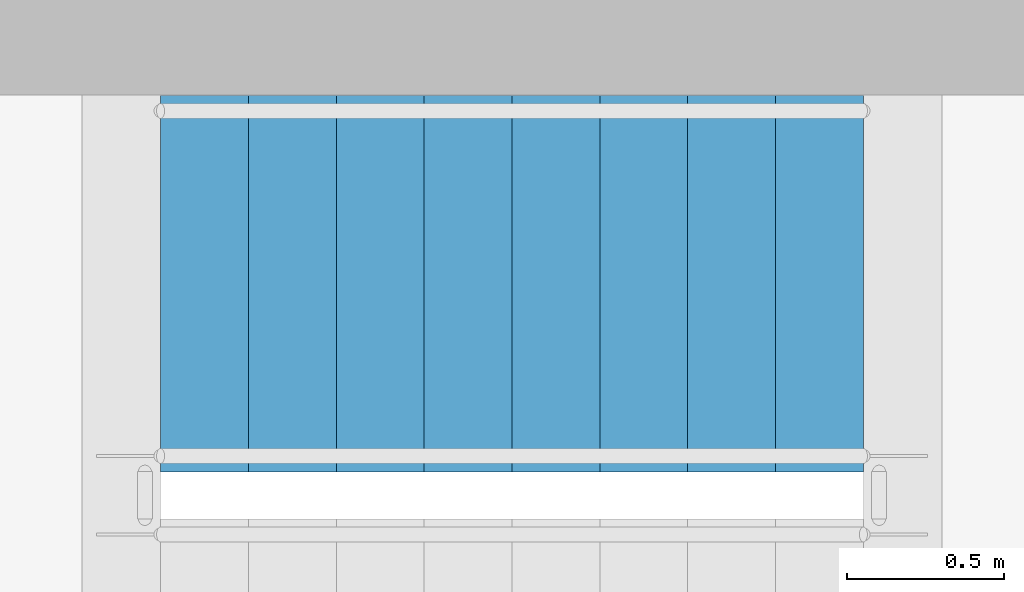
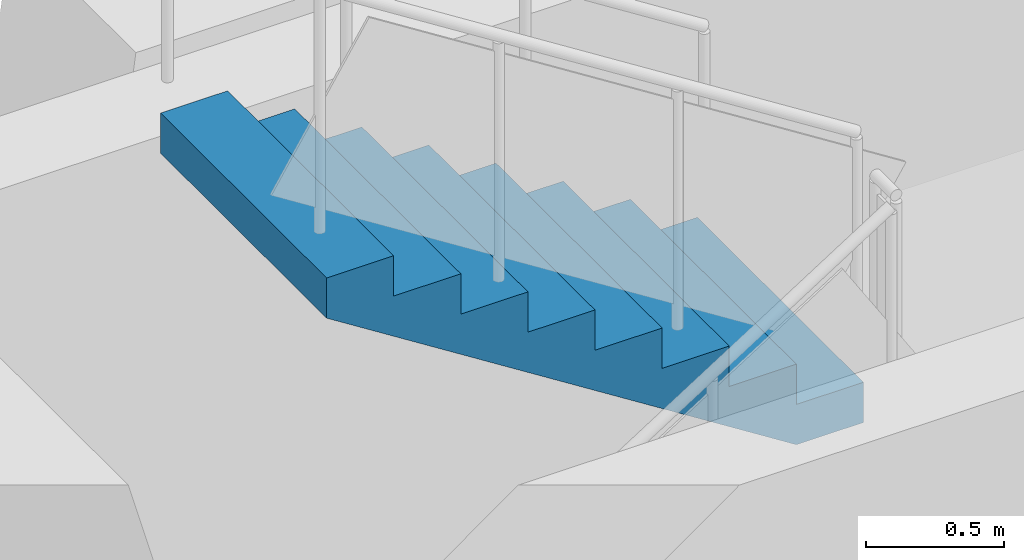
# One storey, part 12 of 16: 1 stair flight, 1 element without a shape of its own.
"""IFC4 building model written with IfcOpenShell, lengths in metres."""

from ifc_helpers import new_model, si_unit, direction, frame, origin, place, context, subcontext, project, spatial, polyline, outline, extrude, material, type_object, element, aggregate, save


model = new_model("IFC4")

# Units and contexts
model_context = context("Model", 3, precision=1e-05, world=origin(), true_north=direction((0.0, 1.0)))
body_context = subcontext(model_context, "Body", "Model", "MODEL_VIEW")
ifc_project = project(units=[si_unit("LENGTHUNIT", "METRE"), si_unit("AREAUNIT", "SQUARE_METRE"), si_unit("VOLUMEUNIT", "CUBIC_METRE"), si_unit("PLANEANGLEUNIT", "RADIAN"), si_unit("MASSUNIT", "GRAM", prefix="KILO")], contexts=[model_context])

# Site, building, storey
site_placement = place(None, origin())
site = spatial("IfcSite", under=ifc_project, at=site_placement, CompositionType="ELEMENT")
building_placement = place(site_placement, origin())
building = spatial("IfcBuilding", under=site, at=building_placement, Name="Vidyagriha Tower", CompositionType="ELEMENT")
storey_placement = place(building_placement, frame((0.0, 0.0, 230.0)))
storey = spatial("IfcBuildingStorey", under=building, at=storey_placement, Name="L60", CompositionType="ELEMENT", Elevation=230.0)

# Stair, stair flight
ifc_material_1 = material(Name="Concrete C40/50", Category="concrete")
stair_type = type_object("IfcStairType", Name="Exit stair, half-turn, precast flights", PredefinedType="HALF_TURN_STAIR", material=ifc_material_1)
stair_placement = place(storey_placement, origin())
stair = element("IfcStair", 1, at=stair_placement, inside=storey, type_object=stair_type, Name="L60 Exit Stair ST3", PredefinedType="HALF_TURN_STAIR")
ifc_material_2 = material(Name="Precast concrete C40/50", Category="concrete")
stair_flight_type = type_object("IfcStairFlightType", Name="Exit stair flight 1200 mm, precast", PredefinedType="STRAIGHT", material=ifc_material_2)
stair_flight_placement = place(storey_placement, frame((6.239990234375, 18.89990234375, 1.60009765625), z_axis=(0.0, 0.0, 1.0), x_axis=(-1.0, 0.0, 0.0)))
stair_flight = element("IfcStairFlight", 2, at=stair_flight_placement, type_object=stair_flight_type, Name="ST3 flight 2", NumberOfRisers=9, NumberOfTreads=8, PredefinedType="STRAIGHT", RiserHeight=0.177777778, TreadLength=0.28, context=body_context, shape_type="SweptSolid", body=[
    extrude(outline(polyline([(0.0, 0.0), (0.0, 0.177734375), (0.280029296875, 0.177734375), (0.280029296875, 0.35546875), (0.56005859375, 0.35546875), (0.56005859375, 0.533447265625), (0.840087890625, 0.533447265625), (0.840087890625, 0.711181640625), (1.1201171875, 0.711181640625), (1.1201171875, 0.888916015625), (1.39990234375, 0.888916015625), (1.39990234375, 1.066650390625), (1.679931640625, 1.066650390625), (1.679931640625, 1.244384765625), (1.9599609375, 1.244384765625), (1.9599609375, 1.422119140625), (2.239990234375, 1.422119140625), (2.239990234375, 1.60009765625), (2.239990234375, 1.24462890625), (0.27978515625, 0.0), (0.0, 0.0)])), frame((0.0, 0.60009765625, 0.0), z_axis=(0.0, -1.0, 0.0), x_axis=(1.0, 0.0, 0.0)), (0.0, 0.0, 1.0), 1.199951171875),
])
aggregate(stair, [stair_flight])

save(model, "model.ifc")
